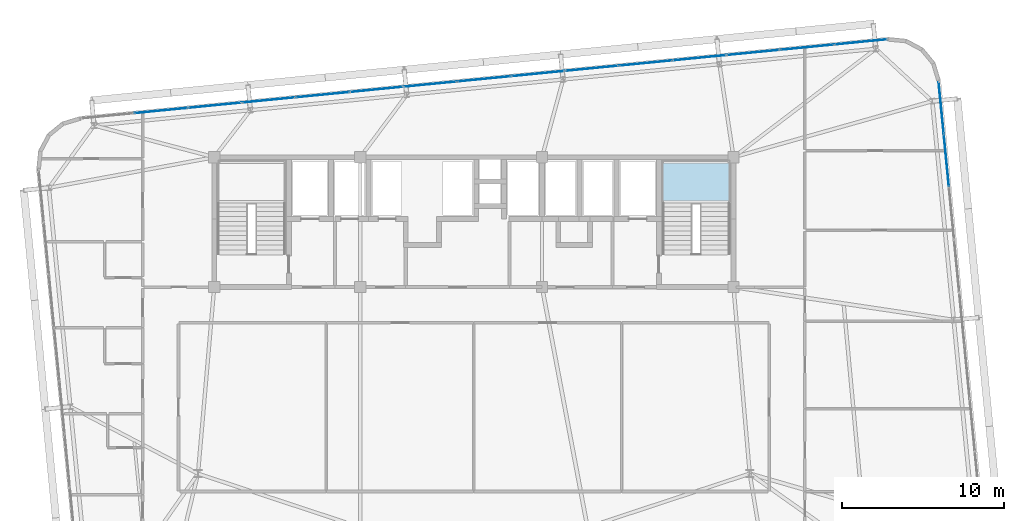
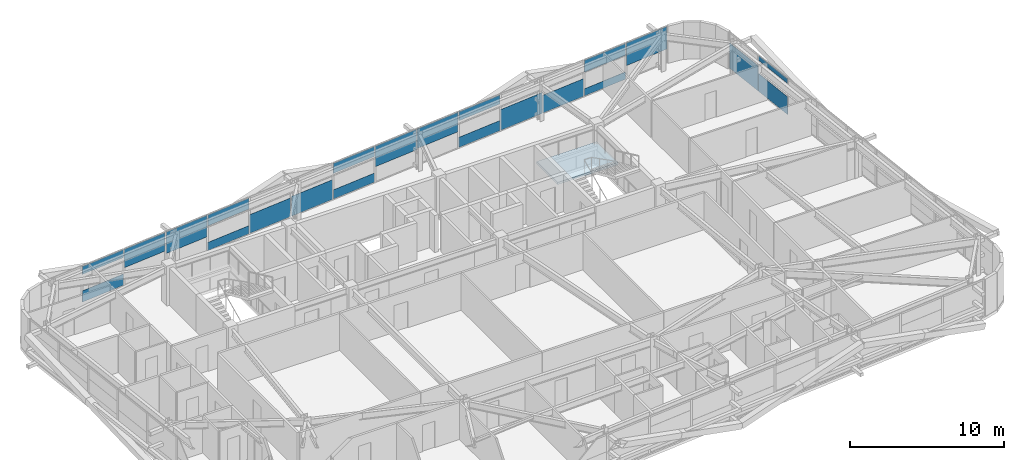
# One storey, part 37 of 53: 22 plates, 1 slab, 3 elements without a shape of their own.
"""IFC4 building model written with IfcOpenShell, lengths in metres."""

from ifc_helpers import new_model, si_unit, direction, frame, origin, origin_2d, place, context, subcontext, project, spatial, polyline, rectangle, outline, extrude, source, transform, mapped, material, layer, layer_set, type_object, element, aggregate, save


model = new_model("IFC4")

# Units and contexts
model_context = context("Model", 3, precision=1e-05, world=origin(), true_north=direction((0.0, 1.0)))
body_context = subcontext(model_context, "Body", "Model", "MODEL_VIEW")
ifc_project = project(units=[si_unit("LENGTHUNIT", "METRE"), si_unit("AREAUNIT", "SQUARE_METRE"), si_unit("VOLUMEUNIT", "CUBIC_METRE"), si_unit("PLANEANGLEUNIT", "RADIAN"), si_unit("MASSUNIT", "GRAM", prefix="KILO")], contexts=[model_context])

# Site, building, storey
site_placement = place(None, origin())
site = spatial("IfcSite", under=ifc_project, at=site_placement, CompositionType="ELEMENT")
building_placement = place(site_placement, origin())
building = spatial("IfcBuilding", under=site, at=building_placement, Name="Taldren Reach Tower", CompositionType="ELEMENT")
storey_placement = place(building_placement, frame((0.0, 0.0, 71.39990234375)))
storey = spatial("IfcBuildingStorey", under=building, at=storey_placement, Name="L21", CompositionType="ELEMENT", Elevation=71.39990234375)

# Stair, slab
ifc_material_1 = material(Name="Concrete S50 (50 MPa)", Category="concrete")
stair_type = type_object("IfcStairType", Name="ST-HT-315", PredefinedType="HALF_TURN_STAIR", material=ifc_material_1)
stair_placement = place(storey_placement, origin())
stair = element("IfcStair", 1, at=stair_placement, inside=storey, type_object=stair_type, Name="Fire-isolated exit stair ST2 L21", PredefinedType="HALF_TURN_STAIR")
ifc_layer_1 = layer(ifc_material_1, 0.179931640625)
ifc_layer_set_1 = layer_set([ifc_layer_1], Name="Concrete S50 (50 MPa)")
slab_type = type_object("IfcSlabType", Name="SL-LAND-180", PredefinedType="LANDING", material=ifc_layer_set_1)
slab_placement = place(storey_placement, frame((0.0, 0.0, 1.39501953125)))
slab = element("IfcSlab", 2, at=slab_placement, type_object=slab_type, Name="ST2 landing 1", PredefinedType="LANDING", context=body_context, shape_type="SweptSolid", body=[
    extrude(outline(polyline([(46.43994140625, 29.135009765625), (50.9599609375, 29.135009765625), (50.9599609375, 31.8701171875), (46.43994140625, 31.8701171875), (46.43994140625, 29.135009765625)])), origin(), (0.0, 0.0, 1.0), 0.18017578125),
])
aggregate(stair, [slab])

# Curtain wall, plates
ifc_material_2 = material(Name="Aluminium and Low-E Glass Unitised System", Category="aluminium")
ifc_layer_2 = layer(ifc_material_2, 0.159912109375)
ifc_layer_set_2 = layer_set([ifc_layer_2], Name="Aluminium and Low-E Glass Unitised System")
curtain_wall_type = type_object("IfcCurtainWallType", Name="CW-SYS-3", PredefinedType="NOTDEFINED", material=ifc_layer_set_2)
curtain_wall_1_placement = place(storey_placement, origin())
curtain_wall_1 = element("IfcCurtainWall", 3, at=curtain_wall_1_placement, inside=storey, type_object=curtain_wall_type, Name="Unitised curtain wall CW-L21-N", PredefinedType="NOTDEFINED")
ifc_material_3 = material(Name="Solar-Control Double Glazed IGU", Category="glass")
ifc_layer_3 = layer(ifc_material_3, 0.031982421875)
ifc_layer_set_3 = layer_set([ifc_layer_3], Name="Solar-Control Double Glazed IGU")
plate_type = type_object("IfcPlateType", Name="CW-PNL-IGU32", PredefinedType="CURTAIN_PANEL", material=ifc_layer_set_3)
shared_shape_1 = source(origin(), body_context, "Body", "SweptSolid", [
    extrude(rectangle(XDim=3.268310546875, YDim=0.031982421875, at=origin_2d()), origin(), (0.0, 0.0, 1.0), 0.88818359375),
])
plate_1_placement = place(storey_placement, frame((15.72705078125, 34.874267578125, 0.05517578125), z_axis=(0.0, 0.0, 1.0), x_axis=(-0.995227390247, -0.097582999046, 0.0)))
plate_1 = element("IfcPlate", 4, at=plate_1_placement, type_object=plate_type, Name="CW-3 panel 14.1 part 1", PredefinedType="CURTAIN_PANEL", context=body_context, shape_type="MappedRepresentation", body=[
    mapped(shared_shape_1, transform((0.0, 0.0, 0.0), scale=1.0)),
])
shared_shape_2 = source(origin(), body_context, "Body", "SweptSolid", [
    extrude(rectangle(XDim=3.268310546875, YDim=0.031982421875, at=origin_2d()), origin(), (0.0, 0.0, 1.0), 0.626953125),
])
plate_2_placement = place(storey_placement, frame((15.72705078125, 34.874267578125, 2.248046875), z_axis=(0.0, 0.0, 1.0), x_axis=(-0.995227390247, -0.097582999046, 0.0)))
plate_2 = element("IfcPlate", 5, at=plate_2_placement, type_object=plate_type, Name="CW-3 panel 14.1 part 2", PredefinedType="CURTAIN_PANEL", context=body_context, shape_type="MappedRepresentation", body=[
    mapped(shared_shape_2, transform((0.0, 0.0, 0.0), scale=1.0)),
])
shared_shape_3 = source(origin(), body_context, "Body", "SweptSolid", [
    extrude(rectangle(XDim=3.268310546875, YDim=0.031982421875, at=origin_2d()), origin(), (0.0, 0.0, 1.0), 1.4638671875),
])
plate_3_placement = place(storey_placement, frame((19.04443359375, 35.199462890625, 1.411376953125), z_axis=(0.0, 0.0, 1.0), x_axis=(-0.995227390247, -0.097582999046, 0.0)))
plate_3 = element("IfcPlate", 6, at=plate_3_placement, type_object=plate_type, Name="CW-3 panel 13.1 part 1", PredefinedType="CURTAIN_PANEL", context=body_context, shape_type="MappedRepresentation", body=[
    mapped(shared_shape_3, transform((0.0, 0.0, 0.0), scale=1.0)),
])
shared_shape_4 = source(origin(), body_context, "Body", "SweptSolid", [
    extrude(rectangle(XDim=3.268310546875, YDim=0.031982421875, at=origin_2d()), origin(), (0.0, 0.0, 1.0), 1.704833984375),
])
plate_4_placement = place(storey_placement, frame((22.36181640625, 35.52490234375, 1.17041015625), z_axis=(0.0, 0.0, 1.0), x_axis=(-0.995227390247, -0.097582999046, 0.0)))
plate_4 = element("IfcPlate", 7, at=plate_4_placement, type_object=plate_type, Name="CW-3 panel 12.1 part 1", PredefinedType="CURTAIN_PANEL", context=body_context, shape_type="MappedRepresentation", body=[
    mapped(shared_shape_4, transform((0.0, 0.0, 0.0), scale=1.0)),
])
shared_shape_5 = source(origin(), body_context, "Body", "SweptSolid", [
    extrude(rectangle(XDim=3.268310546875, YDim=0.031982421875, at=origin_2d()), origin(), (0.0, 0.0, 1.0), 0.647216796875),
])
plate_5_placement = place(storey_placement, frame((25.67919921875, 35.85009765625, 0.05517578125), z_axis=(0.0, 0.0, 1.0), x_axis=(-0.995227390247, -0.097582999046, 0.0)))
plate_5 = element("IfcPlate", 8, at=plate_5_placement, type_object=plate_type, Name="CW-3 panel 11.1 part 1", PredefinedType="CURTAIN_PANEL", context=body_context, shape_type="MappedRepresentation", body=[
    mapped(shared_shape_5, transform((0.0, 0.0, 0.0), scale=1.0)),
])
shared_shape_6 = source(origin(), body_context, "Body", "SweptSolid", [
    extrude(rectangle(XDim=3.268310546875, YDim=0.031982421875, at=origin_2d()), origin(), (0.0, 0.0, 1.0), 0.867919921875),
])
plate_6_placement = place(storey_placement, frame((25.67919921875, 35.85009765625, 2.00732421875), z_axis=(0.0, 0.0, 1.0), x_axis=(-0.995227390247, -0.097582999046, 0.0)))
plate_6 = element("IfcPlate", 9, at=plate_6_placement, type_object=plate_type, Name="CW-3 panel 11.1 part 2", PredefinedType="CURTAIN_PANEL", context=body_context, shape_type="MappedRepresentation", body=[
    mapped(shared_shape_6, transform((0.0, 0.0, 0.0), scale=1.0)),
])
shared_shape_7 = source(origin(), body_context, "Body", "SweptSolid", [
    extrude(rectangle(XDim=3.268310546875, YDim=0.031982421875, at=origin_2d()), origin(), (0.0, 0.0, 1.0), 1.484130859375),
])
plate_7_placement = place(storey_placement, frame((28.996826171875, 36.17529296875, 0.05517578125), z_axis=(0.0, 0.0, 1.0), x_axis=(-0.995227390247, -0.097582999046, 0.0)))
plate_7 = element("IfcPlate", 10, at=plate_7_placement, type_object=plate_type, Name="CW-3 panel 10.1 part 1", PredefinedType="CURTAIN_PANEL", context=body_context, shape_type="MappedRepresentation", body=[
    mapped(shared_shape_7, transform((0.0, 0.0, 0.0), scale=1.0)),
])
shared_shape_8 = source(origin(), body_context, "Body", "SweptSolid", [
    extrude(rectangle(XDim=3.268310546875, YDim=0.031982421875, at=origin_2d()), origin(), (0.0, 0.0, 1.0), 1.564453125),
])
plate_8_placement = place(storey_placement, frame((32.314208984375, 36.500732421875, 0.05517578125), z_axis=(0.0, 0.0, 1.0), x_axis=(-0.995227390247, -0.097582999046, 0.0)))
plate_8 = element("IfcPlate", 11, at=plate_8_placement, type_object=plate_type, Name="CW-3 panel 9.1 part 1", PredefinedType="CURTAIN_PANEL", context=body_context, shape_type="MappedRepresentation", body=[
    mapped(shared_shape_8, transform((0.0, 0.0, 0.0), scale=1.0)),
])
shared_shape_9 = source(origin(), body_context, "Body", "SweptSolid", [
    extrude(rectangle(XDim=3.268310546875, YDim=0.031982421875, at=origin_2d()), origin(), (0.0, 0.0, 1.0), 0.7275390625),
])
plate_9_placement = place(storey_placement, frame((35.631591796875, 36.825927734375, 0.05517578125), z_axis=(0.0, 0.0, 1.0), x_axis=(-0.995227390247, -0.097582999046, 0.0)))
plate_9 = element("IfcPlate", 12, at=plate_9_placement, type_object=plate_type, Name="CW-3 panel 8.1 part 1", PredefinedType="CURTAIN_PANEL", context=body_context, shape_type="MappedRepresentation", body=[
    mapped(shared_shape_9, transform((0.0, 0.0, 0.0), scale=1.0)),
])
shared_shape_10 = source(origin(), body_context, "Body", "SweptSolid", [
    extrude(rectangle(XDim=3.268310546875, YDim=0.031982421875, at=origin_2d()), origin(), (0.0, 0.0, 1.0), 0.78759765625),
])
plate_10_placement = place(storey_placement, frame((35.631591796875, 36.825927734375, 2.08740234375), z_axis=(0.0, 0.0, 1.0), x_axis=(-0.995227390247, -0.097582999046, 0.0)))
plate_10 = element("IfcPlate", 13, at=plate_10_placement, type_object=plate_type, Name="CW-3 panel 8.1 part 2", PredefinedType="CURTAIN_PANEL", context=body_context, shape_type="MappedRepresentation", body=[
    mapped(shared_shape_10, transform((0.0, 0.0, 0.0), scale=1.0)),
])
shared_shape_11 = source(origin(), body_context, "Body", "SweptSolid", [
    extrude(rectangle(XDim=3.268310546875, YDim=0.031982421875, at=origin_2d()), origin(), (0.0, 0.0, 1.0), 1.62451171875),
])
plate_11_placement = place(storey_placement, frame((38.948974609375, 37.151123046875, 1.250732421875), z_axis=(0.0, 0.0, 1.0), x_axis=(-0.995227390247, -0.097582999046, 0.0)))
plate_11 = element("IfcPlate", 14, at=plate_11_placement, type_object=plate_type, Name="CW-3 panel 7.1 part 1", PredefinedType="CURTAIN_PANEL", context=body_context, shape_type="MappedRepresentation", body=[
    mapped(shared_shape_11, transform((0.0, 0.0, 0.0), scale=1.0)),
])
shared_shape_12 = source(origin(), body_context, "Body", "SweptSolid", [
    extrude(rectangle(XDim=3.268310546875, YDim=0.031982421875, at=origin_2d()), origin(), (0.0, 0.0, 1.0), 1.544189453125),
])
plate_12_placement = place(storey_placement, frame((42.266357421875, 37.4765625, 1.3310546875), z_axis=(0.0, 0.0, 1.0), x_axis=(-0.995227390247, -0.097582999046, 0.0)))
plate_12 = element("IfcPlate", 15, at=plate_12_placement, type_object=plate_type, Name="CW-3 panel 6.1 part 1", PredefinedType="CURTAIN_PANEL", context=body_context, shape_type="MappedRepresentation", body=[
    mapped(shared_shape_12, transform((0.0, 0.0, 0.0), scale=1.0)),
])
shared_shape_13 = source(origin(), body_context, "Body", "SweptSolid", [
    extrude(rectangle(XDim=3.268310546875, YDim=0.031982421875, at=origin_2d()), origin(), (0.0, 0.0, 1.0), 0.807861328125),
])
plate_13_placement = place(storey_placement, frame((45.583740234375, 37.8017578125, 0.05517578125), z_axis=(0.0, 0.0, 1.0), x_axis=(-0.995227390247, -0.097582999046, 0.0)))
plate_13 = element("IfcPlate", 16, at=plate_13_placement, type_object=plate_type, Name="CW-3 panel 5.1 part 1", PredefinedType="CURTAIN_PANEL", context=body_context, shape_type="MappedRepresentation", body=[
    mapped(shared_shape_13, transform((0.0, 0.0, 0.0), scale=1.0)),
])
shared_shape_14 = source(origin(), body_context, "Body", "SweptSolid", [
    extrude(rectangle(XDim=3.268310546875, YDim=0.031982421875, at=origin_2d()), origin(), (0.0, 0.0, 1.0), 0.707275390625),
])
plate_14_placement = place(storey_placement, frame((45.583740234375, 37.8017578125, 2.16796875), z_axis=(0.0, 0.0, 1.0), x_axis=(-0.995227390247, -0.097582999046, 0.0)))
plate_14 = element("IfcPlate", 17, at=plate_14_placement, type_object=plate_type, Name="CW-3 panel 5.1 part 2", PredefinedType="CURTAIN_PANEL", context=body_context, shape_type="MappedRepresentation", body=[
    mapped(shared_shape_14, transform((0.0, 0.0, 0.0), scale=1.0)),
])
shared_shape_15 = source(origin(), body_context, "Body", "SweptSolid", [
    extrude(rectangle(XDim=3.268310546875, YDim=0.031982421875, at=origin_2d()), origin(), (0.0, 0.0, 1.0), 1.644775390625),
])
plate_15_placement = place(storey_placement, frame((48.9013671875, 38.126953125, 0.05517578125), z_axis=(0.0, 0.0, 1.0), x_axis=(-0.995227390247, -0.097582999046, 0.0)))
plate_15 = element("IfcPlate", 18, at=plate_15_placement, type_object=plate_type, Name="CW-3 panel 4.1 part 1", PredefinedType="CURTAIN_PANEL", context=body_context, shape_type="MappedRepresentation", body=[
    mapped(shared_shape_15, transform((0.0, 0.0, 0.0), scale=1.0)),
])
shared_shape_16 = source(origin(), body_context, "Body", "SweptSolid", [
    extrude(rectangle(XDim=3.268310546875, YDim=0.031982421875, at=origin_2d()), origin(), (0.0, 0.0, 1.0), 1.40380859375),
])
plate_16_placement = place(storey_placement, frame((52.21875, 38.452392578125, 0.05517578125), z_axis=(0.0, 0.0, 1.0), x_axis=(-0.995227390247, -0.097582999046, 0.0)))
plate_16 = element("IfcPlate", 19, at=plate_16_placement, type_object=plate_type, Name="CW-3 panel 3.1 part 1", PredefinedType="CURTAIN_PANEL", context=body_context, shape_type="MappedRepresentation", body=[
    mapped(shared_shape_16, transform((0.0, 0.0, 0.0), scale=1.0)),
])
shared_shape_17 = source(origin(), body_context, "Body", "SweptSolid", [
    extrude(rectangle(XDim=3.268310546875, YDim=0.031982421875, at=origin_2d()), origin(), (0.0, 0.0, 1.0), 0.56689453125),
])
plate_17_placement = place(storey_placement, frame((55.5361328125, 38.777587890625, 0.05517578125), z_axis=(0.0, 0.0, 1.0), x_axis=(-0.995227390247, -0.097582999046, 0.0)))
plate_17 = element("IfcPlate", 20, at=plate_17_placement, type_object=plate_type, Name="CW-3 panel 2.1 part 1", PredefinedType="CURTAIN_PANEL", context=body_context, shape_type="MappedRepresentation", body=[
    mapped(shared_shape_17, transform((0.0, 0.0, 0.0), scale=1.0)),
])
shared_shape_18 = source(origin(), body_context, "Body", "SweptSolid", [
    extrude(rectangle(XDim=3.268310546875, YDim=0.031982421875, at=origin_2d()), origin(), (0.0, 0.0, 1.0), 0.9482421875),
])
plate_18_placement = place(storey_placement, frame((55.5361328125, 38.777587890625, 1.9267578125), z_axis=(0.0, 0.0, 1.0), x_axis=(-0.995227390247, -0.097582999046, 0.0)))
plate_18 = element("IfcPlate", 21, at=plate_18_placement, type_object=plate_type, Name="CW-3 panel 2.1 part 2", PredefinedType="CURTAIN_PANEL", context=body_context, shape_type="MappedRepresentation", body=[
    mapped(shared_shape_18, transform((0.0, 0.0, 0.0), scale=1.0)),
])
shared_shape_19 = source(origin(), body_context, "Body", "SweptSolid", [
    extrude(rectangle(XDim=3.23583984375, YDim=0.031982421875, at=origin_2d()), origin(), (0.0, 0.0, 1.0), 1.78515625),
])
plate_19_placement = place(storey_placement, frame((58.83740234375, 39.101318359375, 1.090087890625), z_axis=(0.0, 0.0, 1.0), x_axis=(-0.995227390247, -0.097582999046, 0.0)))
plate_19 = element("IfcPlate", 22, at=plate_19_placement, type_object=plate_type, Name="CW-3 panel 1.1 part 1", PredefinedType="CURTAIN_PANEL", context=body_context, shape_type="MappedRepresentation", body=[
    mapped(shared_shape_19, transform((0.0, 0.0, 0.0), scale=1.0)),
])
aggregate(curtain_wall_1, [plate_19, plate_17, plate_18, plate_16, plate_15, plate_13, plate_14, plate_12, plate_11, plate_9, plate_10, plate_8, plate_7, plate_5, plate_6, plate_4, plate_3, plate_1, plate_2])

curtain_wall_2_placement = place(storey_placement, origin())
curtain_wall_2 = element("IfcCurtainWall", 23, at=curtain_wall_2_placement, inside=storey, type_object=curtain_wall_type, Name="Unitised curtain wall CW-L21-E", PredefinedType="NOTDEFINED")
shared_shape_20 = source(origin(), body_context, "Body", "SweptSolid", [
    extrude(rectangle(XDim=3.18017578125, YDim=0.031982421875, at=origin_2d()), origin(), (0.0, 0.0, 1.0), 1.989501953125),
])
plate_20_placement = place(storey_placement, frame((63.79931640625, 35.051025390625, 0.05517578125), z_axis=(0.0, 0.0, 1.0), x_axis=(-0.09758274098, 0.99522741555, 0.0)))
plate_20 = element("IfcPlate", 24, at=plate_20_placement, type_object=plate_type, Name="CW-3 panel 9.1 part 1", PredefinedType="CURTAIN_PANEL", context=body_context, shape_type="MappedRepresentation", body=[
    mapped(shared_shape_20, transform((0.0, 0.0, 0.0), scale=1.0)),
])
shared_shape_21 = source(origin(), body_context, "Body", "SweptSolid", [
    extrude(rectangle(XDim=3.212890625, YDim=0.031982421875, at=origin_2d()), origin(), (0.0, 0.0, 1.0), 1.401611328125),
])
plate_21_placement = place(storey_placement, frame((64.117431640625, 31.80517578125, 0.05517578125), z_axis=(0.0, 0.0, 1.0), x_axis=(-0.09758274098, 0.99522741555, 0.0)))
plate_21 = element("IfcPlate", 25, at=plate_21_placement, type_object=plate_type, Name="CW-3 panel 8.1 part 1", PredefinedType="CURTAIN_PANEL", context=body_context, shape_type="MappedRepresentation", body=[
    mapped(shared_shape_21, transform((0.0, 0.0, 0.0), scale=1.0)),
])
shared_shape_22 = source(origin(), body_context, "Body", "SweptSolid", [
    extrude(rectangle(XDim=3.212890625, YDim=0.031982421875, at=origin_2d()), origin(), (0.0, 0.0, 1.0), 0.36474609375),
])
plate_22_placement = place(storey_placement, frame((64.117431640625, 31.80517578125, 2.51025390625), z_axis=(0.0, 0.0, 1.0), x_axis=(-0.09758274098, 0.99522741555, 0.0)))
plate_22 = element("IfcPlate", 26, at=plate_22_placement, type_object=plate_type, Name="CW-3 panel 8.1 part 2", PredefinedType="CURTAIN_PANEL", context=body_context, shape_type="MappedRepresentation", body=[
    mapped(shared_shape_22, transform((0.0, 0.0, 0.0), scale=1.0)),
])
aggregate(curtain_wall_2, [plate_21, plate_22, plate_20])

save(model, "model.ifc")
